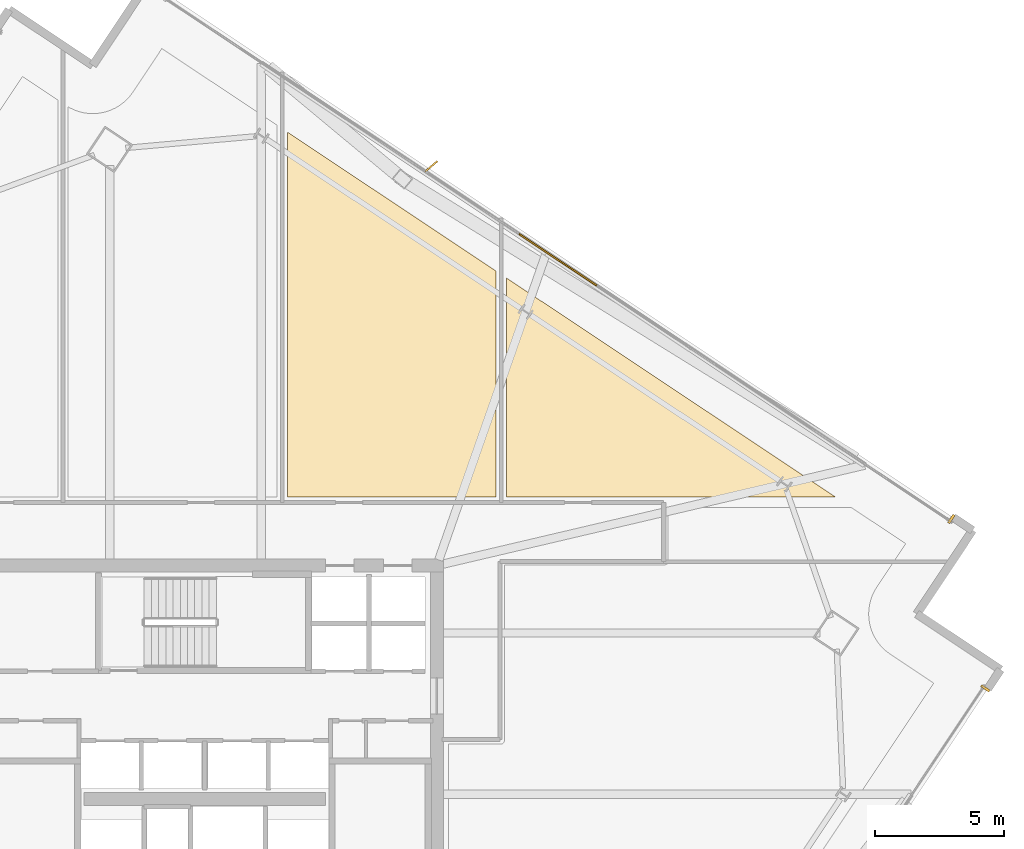
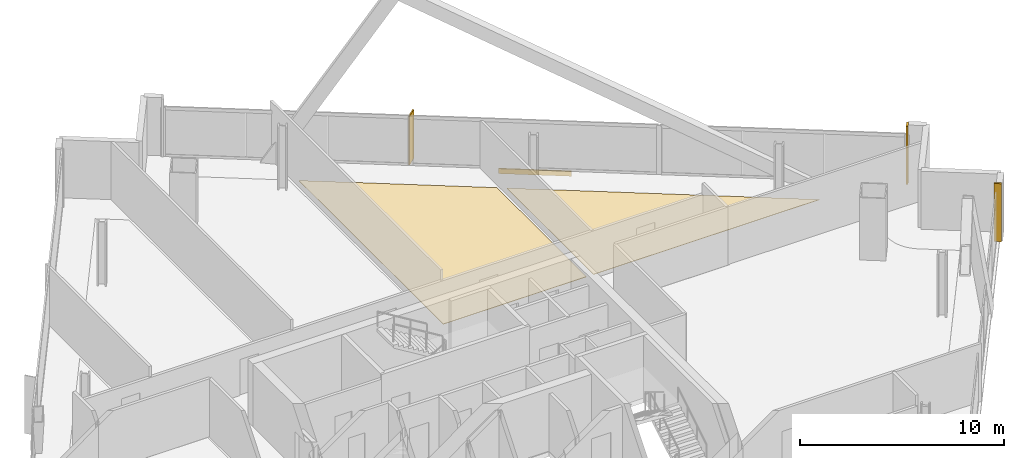
# One storey, part 32 of 32: 5 coverings, 1 shading device.
"""IFC4 building model written with IfcOpenShell, lengths in metres."""

from ifc_helpers import new_model, si_unit, direction, frame, origin, origin_2d, place, context, subcontext, project, spatial, polyline, rectangle, outline, extrude, source, transform, mapped, material, layer, layer_set, type_object, element, save


model = new_model("IFC4")

# Units and contexts
model_context = context("Model", 3, precision=1e-05, world=origin(), true_north=direction((0.0, 1.0)))
body_context = subcontext(model_context, "Body", "Model", "MODEL_VIEW")
ifc_project = project(units=[si_unit("LENGTHUNIT", "METRE"), si_unit("AREAUNIT", "SQUARE_METRE"), si_unit("VOLUMEUNIT", "CUBIC_METRE"), si_unit("PLANEANGLEUNIT", "RADIAN"), si_unit("MASSUNIT", "GRAM", prefix="KILO")], contexts=[model_context])

# Site, building, storey
site_placement = place(None, origin())
site = spatial("IfcSite", under=ifc_project, at=site_placement, CompositionType="ELEMENT")
building_placement = place(site_placement, origin())
building = spatial("IfcBuilding", under=site, at=building_placement, Name="Haldenkirk Collegiate Tower", CompositionType="ELEMENT")
storey_placement = place(building_placement, frame((0.0, 0.0, 217.199951171875)))
storey = spatial("IfcBuildingStorey", under=building, at=storey_placement, Name="L54", CompositionType="ELEMENT", Elevation=217.199951171875)

# Coverings
ifc_material_1 = material(Name="Polished collegiate terrazzo", Category="concrete")
ifc_layer_1 = layer(ifc_material_1, 0.02490234375)
ifc_layer_set_1 = layer_set([ifc_layer_1], Name="Polished collegiate terrazzo")
covering_type_1 = type_object("IfcCoveringType", Name="COV-FLOOR-TERRAZZO", PredefinedType="FLOORING", material=ifc_layer_set_1)
covering_1_placement = place(storey_placement, origin())
element("IfcCovering", 1, at=covering_1_placement, inside=storey, type_object=covering_type_1, Name="L54 academic room finish 08", PredefinedType="FLOORING", context=body_context, shape_type="SweptSolid", body=[
    extrude(outline(polyline([(47.300048828125, 45.423095703125), (47.300048828125, 36.64990234375), (39.199951171875, 36.64990234375), (39.199951171875, 50.81494140625), (47.300048828125, 45.423095703125)])), origin(), (0.0, 0.0, 1.0), 0.025146484375),
])
ifc_material_2 = material(Name="Engineered collegiate oak acoustic flooring", Category="wood")
ifc_layer_2 = layer(ifc_material_2, 0.02197265625)
ifc_layer_set_2 = layer_set([ifc_layer_2], Name="Engineered collegiate oak acoustic flooring")
covering_type_2 = type_object("IfcCoveringType", Name="COV-FLOOR-TIMBER", PredefinedType="FLOORING", material=ifc_layer_set_2)
covering_2_placement = place(storey_placement, origin())
element("IfcCovering", 2, at=covering_2_placement, inside=storey, type_object=covering_type_2, Name="L54 academic room finish 09", PredefinedType="FLOORING", context=body_context, shape_type="SweptSolid", body=[
    extrude(outline(polyline([(60.4794921875, 36.64990234375), (47.699951171875, 36.64990234375), (47.699951171875, 45.15673828125), (60.4794921875, 36.64990234375)])), origin(), (0.0, 0.0, 1.0), 0.02197265625),
])
ifc_material_3 = material(Name="Anodised architectural bronze aluminium", Category="aluminium")
ifc_layer_3 = layer(ifc_material_3, 0.06005859375)
ifc_layer_set_3 = layer_set([ifc_layer_3], Name="Anodised architectural bronze aluminium")
covering_type_3 = type_object("IfcCoveringType", Name="COV-CLAD-BRONZE-60", PredefinedType="CLADDING", material=ifc_layer_set_3)
shared_shape_1 = source(origin(), body_context, "Body", "SweptSolid", [
    extrude(rectangle(XDim=3.60009765625, YDim=0.06005859375, at=origin_2d()), origin(), (0.0, 0.0, 1.0), 0.300048828125),
])
covering_3_placement = place(storey_placement, frame((49.698486328125, 45.856689453125, -0.2998046875), z_axis=(0.0, 0.0, 1.0), x_axis=(0.832437998389, -0.554118199338, 0.0)))
element("IfcCovering", 3, at=covering_3_placement, inside=storey, type_object=covering_type_3, Name="L54 architectural bronze spandrel cladding E", PredefinedType="CLADDING", context=body_context, shape_type="MappedRepresentation", body=[
    mapped(shared_shape_1, transform((0.0, 0.0, 0.0), x_axis=(1.0, 0.0, 0.0), y_axis=(0.0, 1.0, 0.0), z_axis=(0.0, 0.0, 1.0), scale=1.0)),
])
shared_shape_2 = source(origin(), body_context, "Body", "SweptSolid", [
    extrude(rectangle(XDim=0.10009765625, YDim=0.3798828125, at=origin_2d()), origin(), (0.0, 0.0, 1.0), 3.469970703125),
])
for number, where, z_axis, x_axis, name in (
    (4, (66.276123046875, 29.235595703125, 0.0), (0.0, 0.0, 1.0), (-0.554118199338, -0.832437998389, 0.0), "L54 recessed curtain-wall bronze jamb closure SJL"),
    (5, (64.956787109375, 35.807861328125, 0.0), (0.0, 0.0, 1.0), (0.832437998389, -0.554118199338, 0.0), "L54 recessed curtain-wall bronze jamb closure EJR"),
):
    element("IfcCovering", number, at=place(storey_placement, frame(where, z_axis=z_axis, x_axis=x_axis)), inside=storey, type_object=covering_type_3, Name=name, PredefinedType="CLADDING", context=body_context, shape_type="MappedRepresentation", body=[
        mapped(shared_shape_2, transform((0.0, 0.0, 0.0), x_axis=(1.0, 0.0, 0.0), y_axis=(0.0, 1.0, 0.0), z_axis=(0.0, 0.0, 1.0), scale=1.0)),
    ])

# Shading device
ifc_layer_4 = layer(ifc_material_3, 0.06494140625)
ifc_layer_set_4 = layer_set([ifc_layer_4], Name="Anodised architectural bronze aluminium")
shading_device_type = type_object("IfcShadingDeviceType", Name="SHD-FIN-BRONZE-620", PredefinedType="USERDEFINED", material=ifc_layer_set_4)
shared_shape_3 = source(origin(), body_context, "Body", "SweptSolid", [
    extrude(rectangle(XDim=0.6201171875, YDim=0.06494140625, at=origin_2d()), origin(), (0.0, 0.0, 1.0), 2.927978515625),
])
shading_device_placement = place(storey_placement, frame((44.783935546875, 49.482421875, 0.0), z_axis=(0.0, 0.0, 1.0), x_axis=(0.762103608804, 0.647455086819, 0.0)))
element("IfcShadingDevice", 6, at=shading_device_placement, inside=storey, type_object=shading_device_type, Name="L54 folded bronze solar fin 1", ObjectType="FIN", PredefinedType="USERDEFINED", context=body_context, shape_type="MappedRepresentation", body=[
    mapped(shared_shape_3, transform((0.0, 0.0, 0.0), x_axis=(1.0, 0.0, 0.0), y_axis=(0.0, 1.0, 0.0), z_axis=(0.0, 0.0, 1.0), scale=1.0)),
])

save(model, "model.ifc")
